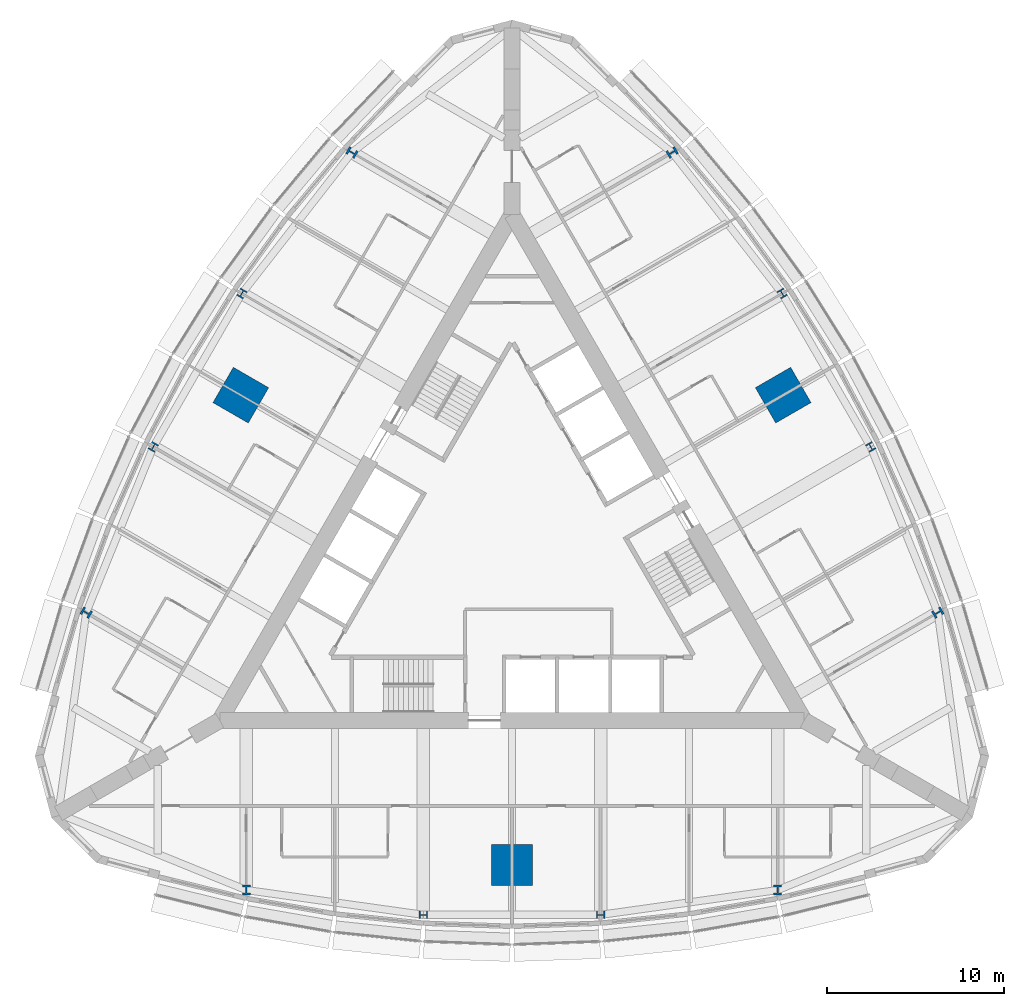
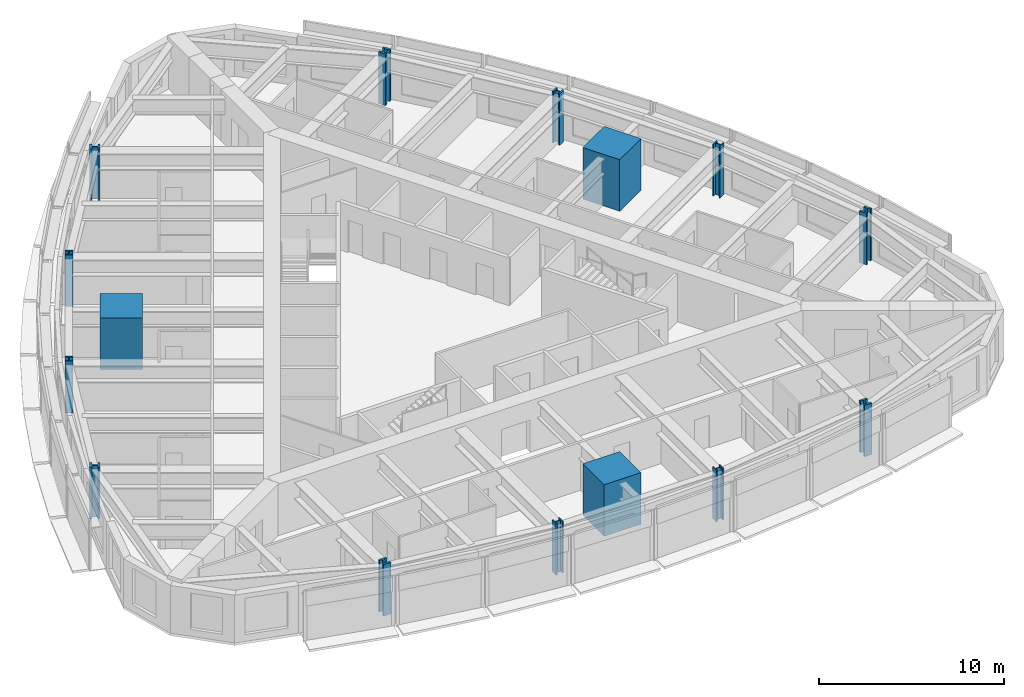
# One storey, part 1 of 15: 15 columns.
"""IFC4 building model written with IfcOpenShell, lengths in metres."""

from ifc_helpers import new_model, si_unit, direction, frame, origin, origin_2d, place, context, subcontext, project, spatial, rectangle, i_section, extrude, material, material_profile, profile_set, type_object, element, save


model = new_model("IFC4")

# Units and contexts
model_context = context("Model", 3, precision=1e-05, world=origin(), true_north=direction((0.0, 1.0)))
body_context = subcontext(model_context, "Body", "Model", "MODEL_VIEW")
ifc_project = project(units=[si_unit("LENGTHUNIT", "METRE"), si_unit("AREAUNIT", "SQUARE_METRE"), si_unit("VOLUMEUNIT", "CUBIC_METRE"), si_unit("PLANEANGLEUNIT", "RADIAN"), si_unit("MASSUNIT", "GRAM", prefix="KILO")], contexts=[model_context])

# Site, building, storey
site_placement = place(None, origin())
site = spatial("IfcSite", under=ifc_project, at=site_placement, CompositionType="ELEMENT")
building_placement = place(site_placement, origin())
building = spatial("IfcBuilding", under=site, at=building_placement, Name="Trikona Tower", CompositionType="ELEMENT")
storey_placement = place(building_placement, frame((0.0, 0.0, 186.10009765625)))
storey = spatial("IfcBuildingStorey", under=building, at=storey_placement, Name="L50", CompositionType="ELEMENT", Elevation=186.10009765625)

# Columns
ifc_material_1 = material(Name="Concrete f'c 10000 psi with encased steel section", Category="concrete")
ifc_material_profile_1 = material_profile(ifc_material_1, rectangle(XDim=2.300048828125, YDim=2.300048828125, at=origin_2d()), Name="MC2300")
ifc_profile_set_1 = profile_set([ifc_material_profile_1], Name="Concrete f'c 10000 psi with encased steel section")
column_type_1 = type_object("IfcColumnType", Name="Composite mega column 2300x2300", PredefinedType="COLUMN", material=ifc_profile_set_1)
for number, where, z_axis, x_axis, name in (
    (1, (0.0, -17.680419921875, 0.0), (0.0, 0.0, 1.0), (0.0, -1.0, 0.0), "Mega column MC1"),
    (2, (15.311767578125, 8.84033203125, 0.0), (0.0, 0.0, 1.0), (0.866025403784, 0.5, 0.0), "Mega column MC2"),
    (3, (-15.311767578125, 8.84033203125, 0.0), (0.0, 0.0, 1.0), (-0.866025403784, 0.5, 0.0), "Mega column MC3"),
):
    element("IfcColumn", number, at=place(storey_placement, frame(where, z_axis=z_axis, x_axis=x_axis)), inside=storey, type_object=column_type_1, Name=name, PredefinedType="COLUMN", context=body_context, shape_type="SweptSolid", body=[
        extrude(rectangle(XDim=2.300048828125, YDim=2.300048828125, at=origin_2d()), origin(), (0.0, 0.0, 1.0), 3.39990234375),
    ])
ifc_material_2 = material(Name="Steel ASTM A992 Grade 50", Category="steel")
ifc_material_profile_2 = material_profile(ifc_material_2, i_section(OverallWidth=0.424072265625, OverallDepth=0.47509765625, WebThickness=0.0478515625, FlangeThickness=0.0771484375, at=origin_2d()), Name="W14X426")
ifc_profile_set_2 = profile_set([ifc_material_profile_2], Name="Steel ASTM A992 Grade 50")
column_type_2 = type_object("IfcColumnType", Name="Steel column W14x426", PredefinedType="COLUMN", material=ifc_profile_set_2)
for number, where, z_axis, x_axis, name in (
    (4, (-5.0, -20.500244140625, 0.0), (0.0, 0.0, 1.0), (0.0, -1.0, 0.0), "Column F0m5"),
    (5, (5.0, -20.500244140625, 0.0), (0.0, 0.0, 1.0), (0.0, -1.0, 0.0), "Column F0p5"),
    (6, (20.253662109375, 5.919921875, 0.0), (0.0, 0.0, 1.0), (0.866025403784, 0.5, 0.0), "Column F1m5"),
    (7, (15.253662109375, 14.580078125, 0.0), (0.0, 0.0, 1.0), (0.866025403784, 0.5, 0.0), "Column F1p5"),
    (8, (-15.253662109375, 14.580078125, 0.0), (0.0, 0.0, 1.0), (-0.866025403784, 0.5, 0.0), "Column F2m5"),
    (9, (-20.253662109375, 5.919921875, 0.0), (0.0, 0.0, 1.0), (-0.866025403784, 0.5, 0.0), "Column F2p5"),
):
    element("IfcColumn", number, at=place(storey_placement, frame(where, z_axis=z_axis, x_axis=x_axis)), inside=storey, type_object=column_type_2, Name=name, PredefinedType="COLUMN", context=body_context, shape_type="SweptSolid", body=[
        extrude(i_section(OverallWidth=0.424072265625, OverallDepth=0.47509765625, WebThickness=0.0478515625, FlangeThickness=0.0771484375, at=origin_2d()), origin(), (0.0, 0.0, 1.0), 3.39990234375),
    ])
ifc_material_3 = material(Name="Steel ASTM A992 Grade 50", Category="steel")
ifc_material_profile_3 = material_profile(ifc_material_3, i_section(OverallWidth=0.45458984375, OverallDepth=0.56884765625, WebThickness=0.077880859375, FlangeThickness=0.124755859375, at=origin_2d()), Name="W14X730")
ifc_profile_set_3 = profile_set([ifc_material_profile_3], Name="Steel ASTM A992 Grade 50")
column_type_3 = type_object("IfcColumnType", Name="Steel column W14x730", PredefinedType="COLUMN", material=ifc_profile_set_3)
for number, where, z_axis, x_axis, name in (
    (10, (-15.0, -19.10009765625, 0.0), (0.0, 0.0, 1.0), (1.0, 0.0, 0.0), "Column F0m15"),
    (11, (15.0, -19.10009765625, 0.0), (0.0, 0.0, 1.0), (1.0, 0.0, 0.0), "Column F0p15"),
    (12, (24.041259765625, -3.440185546875, 0.0), (0.0, 0.0, 1.0), (-0.5, 0.866025403784, 0.0), "Column F1m15"),
    (13, (9.041259765625, 22.54052734375, 0.0), (0.0, 0.0, 1.0), (-0.5, 0.866025403784, 0.0), "Column F1p15"),
    (14, (-9.041259765625, 22.54052734375, 0.0), (0.0, 0.0, 1.0), (-0.5, -0.866025403784, 0.0), "Column F2m15"),
    (15, (-24.041259765625, -3.440185546875, 0.0), (0.0, 0.0, 1.0), (-0.5, -0.866025403784, 0.0), "Column F2p15"),
):
    element("IfcColumn", number, at=place(storey_placement, frame(where, z_axis=z_axis, x_axis=x_axis)), inside=storey, type_object=column_type_3, Name=name, PredefinedType="COLUMN", context=body_context, shape_type="SweptSolid", body=[
        extrude(i_section(OverallWidth=0.45458984375, OverallDepth=0.56884765625, WebThickness=0.077880859375, FlangeThickness=0.124755859375, at=origin_2d()), origin(), (0.0, 0.0, 1.0), 3.39990234375),
    ])

save(model, "model.ifc")
